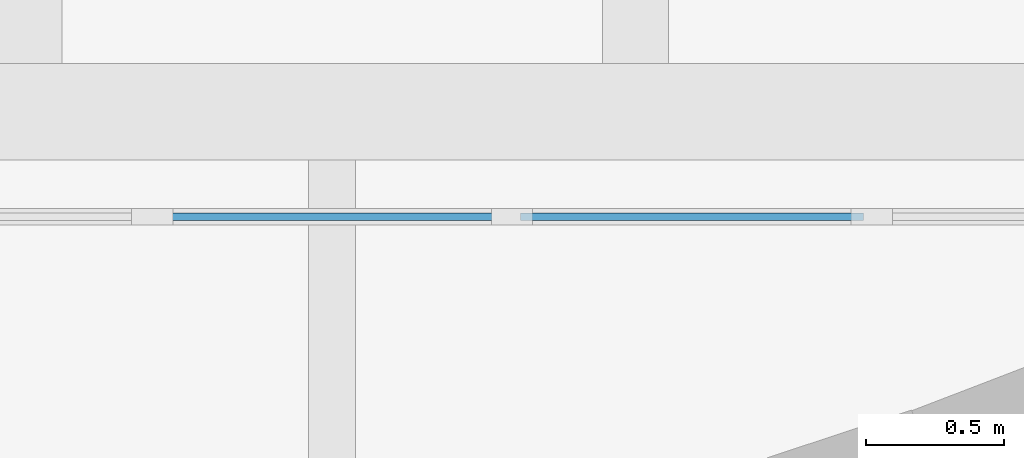
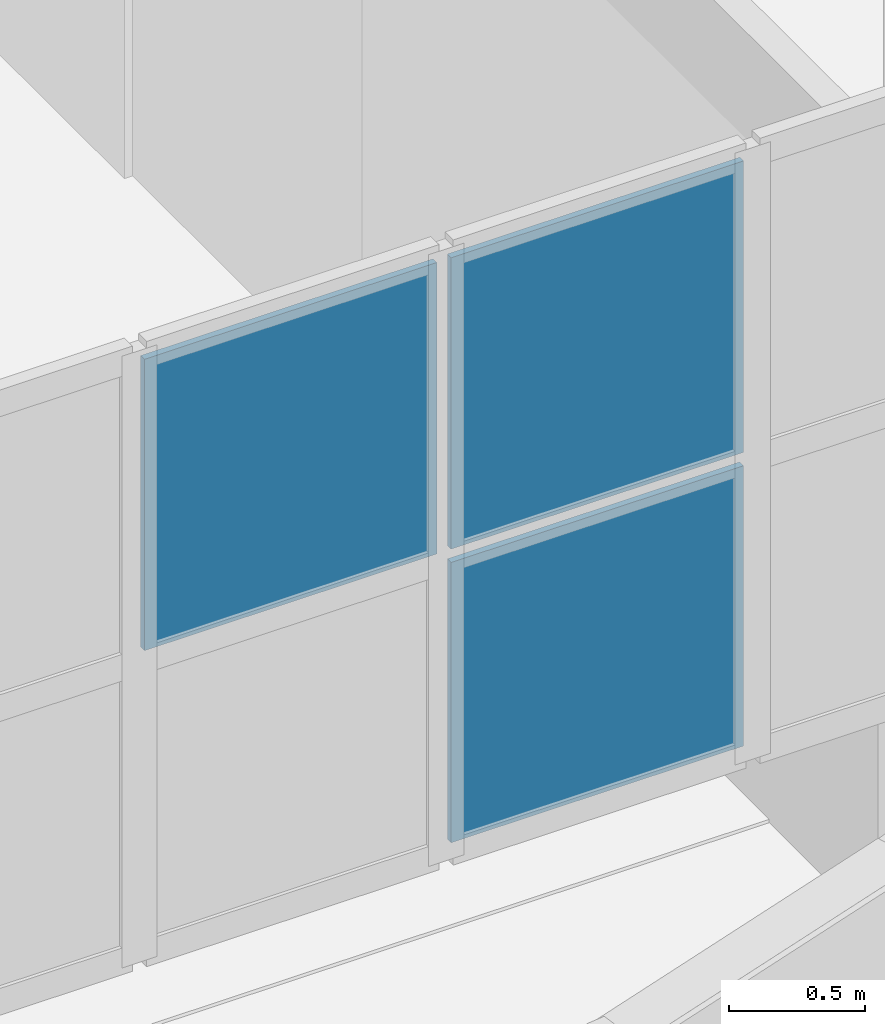
# One storey, part 39 of 83: 3 plates, 1 element without a shape of its own.
"""IFC4 building model written with IfcOpenShell, lengths in metres."""

import ifcopenshell
import ifcopenshell.guid

model = None  # the IFC model being written
_history = None  # IfcOwnerHistory: only IFC2X3 demands one
_inside = {}  # id of a spatial element -> (the spatial element, [elements in it])
_under = {}  # id of a project, library or spatial element -> (it, [spatial elements below it])
_declared = {}  # id of a project -> (the project, [libraries it declares])
_typed = {}  # id of a type object -> (the type object, [elements of that type])
_made_of = {}  # id of a material, layer set ... -> (it, [elements and type objects made of it])


def new_model(schema):
    """Start an empty IFC model of exactly this schema.

    Asked for "IFC4X3", IfcOpenShell would pick the latest addendum, in which some entities
    have other attributes; the version numbers below select the first issue.
    IFC2X3 requires an IfcOwnerHistory on every rooted entity: one is made here for all.
    """
    global model, _history
    if schema == "IFC4X3":
        model = ifcopenshell.file(schema_version=(4, 3, 0, 0))
    else:
        model = ifcopenshell.file(schema=schema)
    _inside.clear()
    _under.clear()
    _declared.clear()
    _typed.clear()
    _made_of.clear()
    _history = None
    if model.schema == "IFC2X3":
        org = make("IfcOrganization", Name="unknown")
        user = make(
            "IfcPersonAndOrganization",
            ThePerson=make("IfcPerson", FamilyName="unknown"),
            TheOrganization=org,
        )
        app = make(
            "IfcApplication",
            ApplicationDeveloper=org,
            Version="unknown",
            ApplicationFullName="unknown",
            ApplicationIdentifier="unknown",
        )
        _history = make(
            "IfcOwnerHistory",
            OwningUser=user,
            OwningApplication=app,
            ChangeAction="ADDED",
            CreationDate=0,
        )
    return model


def make(cls, **values):
    """One entity of the class cls with the attributes given. An attribute that is None is left unset."""
    return model.create_entity(
        cls, **{name: value for name, value in values.items() if value is not None}
    )


def rooted(cls, **values):
    """An entity with a GlobalId (a new one), such as an element, a storey or a relation."""
    return make(cls, GlobalId=ifcopenshell.guid.new(), OwnerHistory=_history, **values)


def si_unit(unit_type, name, prefix=None):
    """IfcSIUnit, for example si_unit("LENGTHUNIT", "METRE", prefix="MILLI")."""
    return make("IfcSIUnit", UnitType=unit_type, Prefix=prefix, Name=name)


def assignment(units):
    """IfcUnitAssignment: the units of a project."""
    return None if units is None else make("IfcUnitAssignment", Units=units)


def point(xyz):
    """IfcCartesianPoint."""
    return None if xyz is None else make("IfcCartesianPoint", Coordinates=xyz)


def direction(xyz):
    """IfcDirection."""
    return None if xyz is None else make("IfcDirection", DirectionRatios=xyz)


def frame(location, z_axis=None, x_axis=None):
    """IfcAxis2Placement3D, a coordinate frame: its origin and axes. An axis left out is left unset."""
    return make(
        "IfcAxis2Placement3D",
        Location=point(location),
        Axis=direction(z_axis),
        RefDirection=direction(x_axis),
    )


def frame_2d(location, x_axis=None):
    """IfcAxis2Placement2D, a coordinate frame in the plane: its origin and x axis."""
    return make(
        "IfcAxis2Placement2D", Location=point(location), RefDirection=direction(x_axis)
    )


def origin():
    """The frame at (0, 0, 0) with its axes left unset."""
    return frame((0.0, 0.0, 0.0))


def origin_2d():
    """The frame at (0, 0) in the plane with its x axis left unset."""
    return frame_2d((0.0, 0.0))


def place(relative_to, where):
    """IfcLocalPlacement: puts the frame where relative to a parent placement (None: the world)."""
    return make(
        "IfcLocalPlacement", PlacementRelTo=relative_to, RelativePlacement=where
    )


def context(
    kind, dimensions, precision=None, world=None, true_north=None, identifier=None
):
    """IfcGeometricRepresentationContext, for example the 3D "Model" context."""
    return make(
        "IfcGeometricRepresentationContext",
        ContextIdentifier=identifier,
        ContextType=kind,
        CoordinateSpaceDimension=dimensions,
        Precision=precision,
        WorldCoordinateSystem=world,
        TrueNorth=true_north,
    )


def subcontext(parent, identifier, kind, view, scale=None):
    """IfcGeometricRepresentationSubContext, for example "Body" below "Model"."""
    return make(
        "IfcGeometricRepresentationSubContext",
        ContextIdentifier=identifier,
        ContextType=kind,
        ParentContext=parent,
        TargetScale=scale,
        TargetView=view,
    )


def project(units=None, contexts=None):
    """IfcProject with its units and contexts."""
    return rooted(
        "IfcProject",
        Name="project",
        RepresentationContexts=contexts,
        UnitsInContext=assignment(units),
    )


def spatial(cls, under=None, at=None, **own):
    """A site, building, storey or space (cls), placed at a placement, below another one or the project."""
    s = rooted(cls, ObjectPlacement=at, **own)
    if under is not None:
        _under.setdefault(under.id(), (under, []))[1].append(s)
    return s


def profile(cls, at=None, kind="AREA", **sizes):
    """A parametric profile (cls). Its sizes go by their IFC names, for example OverallWidth=200.0."""
    return make(cls, ProfileType=kind, Position=at, **sizes)


def rectangle(**sizes):
    """IfcRectangleProfileDef."""
    return profile("IfcRectangleProfileDef", **sizes)


def extrude(swept, where, along, depth):
    """IfcExtrudedAreaSolid: the profile swept, set in the frame where, extruded along a direction by depth."""
    return make(
        "IfcExtrudedAreaSolid",
        SweptArea=swept,
        Position=where,
        ExtrudedDirection=direction(along),
        Depth=depth,
    )


def shape(context_of_items, identifier, shape_type, items):
    """IfcShapeRepresentation: the items that make up one representation, for example the "Body"."""
    return make(
        "IfcShapeRepresentation",
        ContextOfItems=context_of_items,
        RepresentationIdentifier=identifier,
        RepresentationType=shape_type,
        Items=items,
    )


def material(Name=None, Category=None):
    """IfcMaterial."""
    return make("IfcMaterial", Name=Name, Category=Category)


def layer(
    of_material, thickness, ventilated=None, Name=None, Category=None, Priority=None
):
    """IfcMaterialLayer: one layer of a wall or slab, of a material (None: an air gap)."""
    return make(
        "IfcMaterialLayer",
        Material=of_material,
        LayerThickness=thickness,
        IsVentilated=ventilated,
        Name=Name,
        Category=Category,
        Priority=Priority,
    )


def layer_set(layers, Name=None):
    """IfcMaterialLayerSet."""
    return make("IfcMaterialLayerSet", MaterialLayers=layers, LayerSetName=Name)


def made_of(thing, what):
    """Note that an element or type object is made of a material, layer set ...; save() writes the relation."""
    if what is not None:
        _made_of.setdefault(what.id(), (what, []))[1].append(thing)
    return thing


def type_object(cls, material=None, **own):
    """A type object (cls), such as IfcWallType, which elements share."""
    return made_of(rooted(cls, **own), material)


def element(
    cls,
    number,
    at=None,
    inside=None,
    cuts=None,
    type_object=None,
    material=None,
    context=None,
    identifier="Body",
    shape_type=None,
    held_by="IfcProductDefinitionShape",
    body=None,
    shapes=None,
    **own,
):
    """One element of the class cls, such as IfcWall. Its Tag is "e" and its number.

    at: its placement. inside: the storey or other place that contains it. cuts: it is an
    opening in that element (IfcRelVoidsElement). A single representation is given by context,
    identifier, shape_type and body (its items); several are given by shapes. held_by: the class
    of the entity that holds the representations. save() writes the other relations.
    """
    e = rooted(cls, Tag="e%d" % number, ObjectPlacement=at, **own)
    if body is not None:
        shapes = [shape(context, identifier, shape_type, body)]
    if shapes is not None:
        e.Representation = make(held_by, Representations=shapes)
    if inside is not None:
        _inside.setdefault(inside.id(), (inside, []))[1].append(e)
    if cuts is not None:
        rooted(
            "IfcRelVoidsElement", RelatingBuildingElement=cuts, RelatedOpeningElement=e
        )
    if type_object is not None:
        _typed.setdefault(type_object.id(), (type_object, []))[1].append(e)
    return made_of(e, material)


def aggregate(whole, parts):
    """IfcRelAggregates: a whole, such as a stair, and the parts it consists of."""
    return rooted("IfcRelAggregates", RelatingObject=whole, RelatedObjects=parts)


def save(model, path):
    """Write the relations noted so far, then the file.

    IfcRelAggregates (storeys below a building ...), IfcRelContainedInSpatialStructure (elements
    in a storey), IfcRelDefinesByType, IfcRelAssociatesMaterial and IfcRelDeclares: one each for
    every whole, place, type object, material and project.
    """
    for whole, parts in _under.values():
        aggregate(whole, parts)
    for where, things in _inside.values():
        rooted(
            "IfcRelContainedInSpatialStructure",
            RelatedElements=things,
            RelatingStructure=where,
        )
    for kind, things in _typed.values():
        rooted("IfcRelDefinesByType", RelatedObjects=things, RelatingType=kind)
    for what, things in _made_of.values():
        rooted("IfcRelAssociatesMaterial", RelatedObjects=things, RelatingMaterial=what)
    for by, libraries in _declared.values():
        rooted("IfcRelDeclares", RelatingContext=by, RelatedDefinitions=libraries)
    model.write(path)


model = new_model("IFC4")

# Units and contexts
model_context = context("Model", 3, precision=1e-05, world=origin(), true_north=direction((0.0, 1.0)))
body_context = subcontext(model_context, "Body", "Model", "MODEL_VIEW")
ifc_project = project(units=[si_unit("LENGTHUNIT", "METRE"), si_unit("AREAUNIT", "SQUARE_METRE"), si_unit("VOLUMEUNIT", "CUBIC_METRE"), si_unit("PLANEANGLEUNIT", "RADIAN"), si_unit("MASSUNIT", "GRAM", prefix="KILO")], contexts=[model_context])

# Site, building, storey
site_placement = place(None, origin())
site = spatial("IfcSite", under=ifc_project, at=site_placement, CompositionType="ELEMENT")
building_placement = place(site_placement, origin())
building = spatial("IfcBuilding", under=site, at=building_placement, Name="Qaldarim Faculty of Natural and Applied Sciences", CompositionType="ELEMENT")
storey_placement = place(building_placement, frame((0.0, 0.0, 5.39990234375)))
storey = spatial("IfcBuildingStorey", under=building, at=storey_placement, Name="L01", CompositionType="ELEMENT", Elevation=5.39990234375)

# Curtain wall, plates
ifc_material_1 = material(Name="Anodised aluminium AW-6063", Category="aluminium")
curtain_wall_type = type_object("IfcCurtainWallType", Name="CurtainWallSystem-M1400", PredefinedType="USERDEFINED", material=ifc_material_1)
curtain_wall_placement = place(storey_placement, origin())
curtain_wall = element("IfcCurtainWall", 1, at=curtain_wall_placement, inside=storey, type_object=curtain_wall_type, Name="Curtain wall CW-V4RIB-L01-X14", ObjectType="STICK CURTAIN WALL", PredefinedType="USERDEFINED")
ifc_material_2 = material(Name="Insulated low-e double glazing", Category="glass")
ifc_layer = layer(ifc_material_2, 0.028076171875)
ifc_layer_set = layer_set([ifc_layer], Name="Insulated low-e double glazing")
plate_type = type_object("IfcPlateType", Name="VisionGlazingPanel-28", PredefinedType="CURTAIN_PANEL", material=ifc_layer_set)
plate_1_placement = place(storey_placement, frame((89.10009765625, 100.419921875, 2.830078125), z_axis=(0.0, 0.0, 1.0), x_axis=(1.0, 0.0, 0.0)))
plate_1 = element("IfcPlate", 2, at=plate_1_placement, type_object=plate_type, Name="Glazed panel 3-2 of CW-V4RIB-L01-X14", PredefinedType="CURTAIN_PANEL", context=body_context, shape_type="SweptSolid", body=[
    extrude(rectangle(XDim=1.243896484375, YDim=0.028076171875, at=origin_2d()), origin(), (0.0, 0.0, 1.0), 1.31005859375),
])
plate_2_placement = place(storey_placement, frame((90.404052734375, 100.419921875, 1.51025390625), z_axis=(0.0, 0.0, 1.0), x_axis=(1.0, 0.0, 0.0)))
plate_2 = element("IfcPlate", 3, at=plate_2_placement, type_object=plate_type, Name="Glazed panel 4-1 of CW-V4RIB-L01-X14", PredefinedType="CURTAIN_PANEL", context=body_context, shape_type="SweptSolid", body=[
    extrude(rectangle(XDim=1.243896484375, YDim=0.028076171875, at=origin_2d()), origin(), (0.0, 0.0, 1.0), 1.260009765625),
])
plate_3_placement = place(storey_placement, frame((90.404052734375, 100.419921875, 2.830078125), z_axis=(0.0, 0.0, 1.0), x_axis=(1.0, 0.0, 0.0)))
plate_3 = element("IfcPlate", 4, at=plate_3_placement, type_object=plate_type, Name="Glazed panel 4-2 of CW-V4RIB-L01-X14", PredefinedType="CURTAIN_PANEL", context=body_context, shape_type="SweptSolid", body=[
    extrude(rectangle(XDim=1.243896484375, YDim=0.028076171875, at=origin_2d()), origin(), (0.0, 0.0, 1.0), 1.31005859375),
])
aggregate(curtain_wall, [plate_1, plate_2, plate_3])

save(model, "model.ifc")
